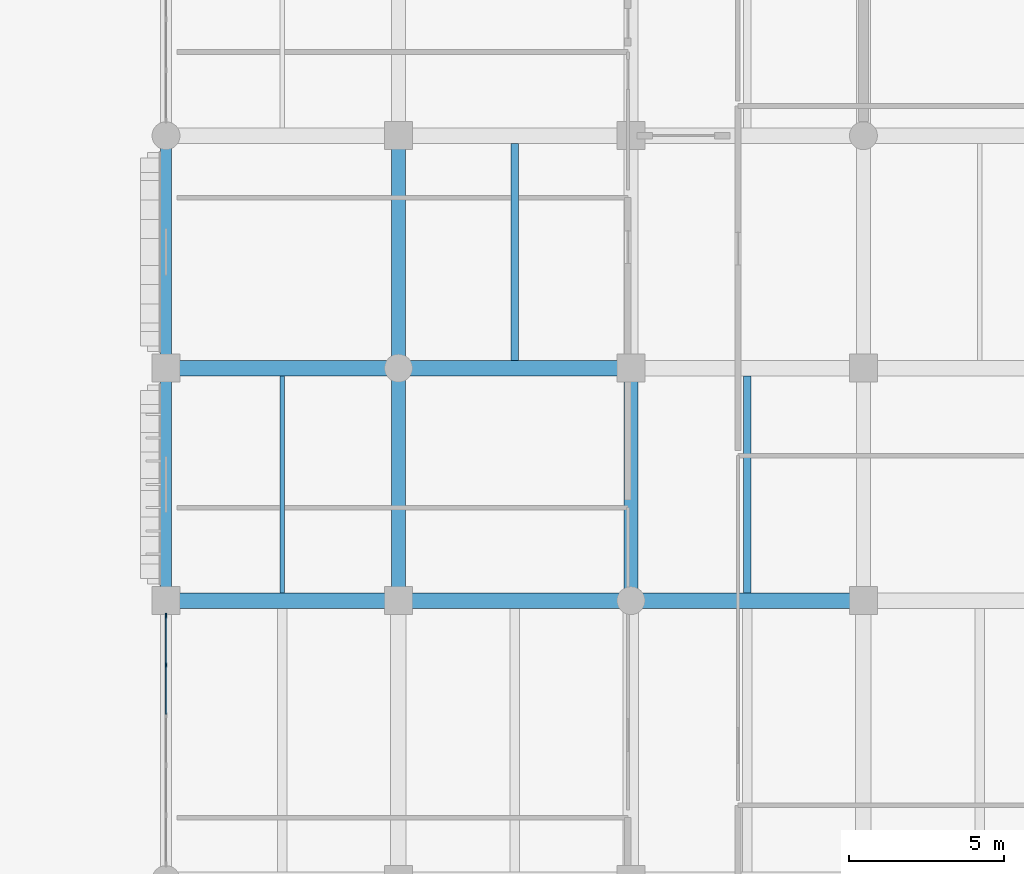
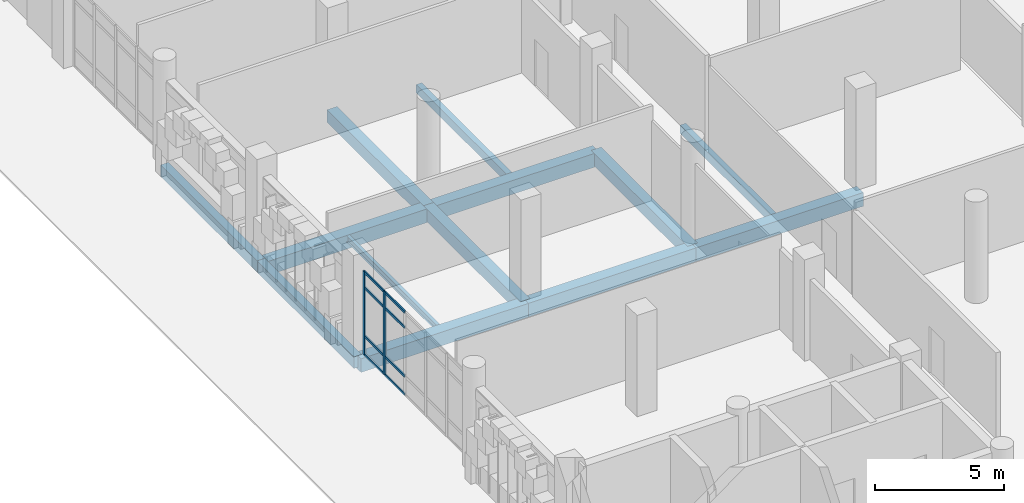
# One storey, part 21 of 125: 13 beams, 10 members, 1 element without a shape of its own.
"""IFC4 building model written with IfcOpenShell, lengths in metres."""

from ifc_helpers import new_model, si_unit, direction, frame, origin, origin_2d, place, context, subcontext, project, spatial, rectangle, i_section, extrude, material, layer, layer_set, material_profile, profile_set, type_object, element, aggregate, save


model = new_model("IFC4")

# Units and contexts
model_context = context("Model", 3, precision=1e-05, world=origin(), true_north=direction((0.0, 1.0)))
body_context = subcontext(model_context, "Body", "Model", "MODEL_VIEW")
ifc_project = project(units=[si_unit("LENGTHUNIT", "METRE"), si_unit("AREAUNIT", "SQUARE_METRE"), si_unit("VOLUMEUNIT", "CUBIC_METRE"), si_unit("PLANEANGLEUNIT", "RADIAN"), si_unit("MASSUNIT", "GRAM", prefix="KILO")], contexts=[model_context])

# Site, building, storey
site_placement = place(None, origin())
site = spatial("IfcSite", under=ifc_project, at=site_placement, CompositionType="ELEMENT")
building_placement = place(site_placement, origin())
building = spatial("IfcBuilding", under=site, at=building_placement, Name="Dalvernix Boulevard General Hospital", CompositionType="ELEMENT")
storey_placement = place(building_placement, origin())
storey = spatial("IfcBuildingStorey", under=building, at=storey_placement, Name="L00", CompositionType="ELEMENT", Elevation=0.0)

# Beams
ifc_material_1 = material(Name="Concrete C35/45", Category="concrete")
ifc_material_profile_1 = material_profile(ifc_material_1, rectangle(XDim=0.5, YDim=0.64990234375, at=origin_2d()), Name="RCB 500x650")
ifc_profile_set_1 = profile_set([ifc_material_profile_1], Name="Concrete C35/45")
beam_type_1 = type_object("IfcBeamType", Name="BM-B-02-I", PredefinedType="BEAM", material=ifc_profile_set_1)
for number, where, z_axis, x_axis, name in (
    (1, (0.0, 31.5, -0.68505859375), (1.0, 0.0, 0.0), (0.0, 1.0, 0.0), "L00 E-W girder E:1-2"),
    (2, (7.5, 31.5, -0.68505859375), (1.0, 0.0, 0.0), (0.0, 1.0, 0.0), "L00 E-W girder E:2-3"),
    (3, (15.0, 31.5, -0.68505859375), (1.0, 0.0, 0.0), (0.0, 1.0, 0.0), "L00 E-W girder E:3-4"),
    (4, (0.0, 39.0, -0.68505859375), (1.0, 0.0, 0.0), (0.0, 1.0, 0.0), "L00 E-W girder F:1-2"),
    (5, (7.5, 39.0, -0.68505859375), (1.0, 0.0, 0.0), (0.0, 1.0, 0.0), "L00 E-W girder F:2-3"),
):
    element("IfcBeam", number, at=place(storey_placement, frame(where, z_axis=z_axis, x_axis=x_axis)), inside=storey, type_object=beam_type_1, Name=name, PredefinedType="BEAM", context=body_context, shape_type="SweptSolid", body=[
        extrude(rectangle(XDim=0.5, YDim=0.64990234375, at=origin_2d()), origin(), (0.0, 0.0, 1.0), 7.5),
    ])
ifc_material_profile_2 = material_profile(ifc_material_1, rectangle(XDim=0.449951171875, YDim=0.60009765625, at=origin_2d()), Name="RCB 450x600")
ifc_profile_set_2 = profile_set([ifc_material_profile_2], Name="Concrete C35/45")
beam_type_2 = type_object("IfcBeamType", Name="BM-B-04-I", PredefinedType="BEAM", material=ifc_profile_set_2)
for number, where, z_axis, x_axis, name in (
    (6, (7.5, 31.5, -0.659912109375), (0.0, 1.0, 0.0), (-1.0, 0.0, 0.0), "L00 N-S girder 2:E-F"),
    (7, (7.5, 39.0, -0.659912109375), (0.0, 1.0, 0.0), (-1.0, 0.0, 0.0), "L00 N-S girder 2:F-G"),
    (8, (15.0, 31.5, -0.659912109375), (0.0, 1.0, 0.0), (-1.0, 0.0, 0.0), "L00 N-S girder 3:E-F"),
):
    element("IfcBeam", number, at=place(storey_placement, frame(where, z_axis=z_axis, x_axis=x_axis)), inside=storey, type_object=beam_type_2, Name=name, PredefinedType="BEAM", context=body_context, shape_type="SweptSolid", body=[
        extrude(rectangle(XDim=0.449951171875, YDim=0.60009765625, at=origin_2d()), origin(), (0.0, 0.0, 1.0), 7.5),
    ])
ifc_material_profile_3 = material_profile(ifc_material_1, rectangle(XDim=0.25, YDim=0.39990234375, at=origin_2d()), Name="RCB 250x400")
ifc_profile_set_3 = profile_set([ifc_material_profile_3], Name="Concrete C35/45")
beam_type_3 = type_object("IfcBeamType", Name="BM-JB-02", PredefinedType="JOIST", material=ifc_profile_set_3)
for number, where, z_axis, x_axis, name in (
    (9, (11.25, 39.25, -0.56005859375), (0.0, 1.0, 0.0), (-1.0, 0.0, 0.0), "L00 secondary floor beam 2-F"),
    (10, (18.75, 31.75, -0.56005859375), (0.0, 1.0, 0.0), (-1.0, 0.0, 0.0), "L00 secondary floor beam 3-E"),
):
    element("IfcBeam", number, at=place(storey_placement, frame(where, z_axis=z_axis, x_axis=x_axis)), inside=storey, type_object=beam_type_3, Name=name, PredefinedType="JOIST", context=body_context, shape_type="SweptSolid", body=[
        extrude(rectangle(XDim=0.25, YDim=0.39990234375, at=origin_2d()), origin(), (0.0, 0.0, 1.0), 7.0),
    ])
ifc_material_2 = material(Name="Steel S355", Category="steel")
ifc_material_profile_4 = material_profile(ifc_material_2, i_section(OverallWidth=0.14990234375, OverallDepth=0.300048828125, WebThickness=0.007080078125, FlangeThickness=0.0107421875, FilletRadius=0.014892578125, at=origin_2d()), Name="IPE 300")
ifc_profile_set_4 = profile_set([ifc_material_profile_4], Name="Steel S355")
beam_type_4 = type_object("IfcBeamType", Name="BM-JB-03", PredefinedType="JOIST", material=ifc_profile_set_4)
beam_placement = place(storey_placement, frame((3.75, 31.75, -0.510009765625), z_axis=(0.0, 1.0, 0.0), x_axis=(-1.0, 0.0, 0.0)))
element("IfcBeam", 11, at=beam_placement, inside=storey, type_object=beam_type_4, Name="L00 secondary floor beam 1-E", PredefinedType="JOIST", context=body_context, shape_type="SweptSolid", body=[
    extrude(i_section(OverallWidth=0.14990234375, OverallDepth=0.300048828125, WebThickness=0.007080078125, FlangeThickness=0.0107421875, FilletRadius=0.014892578125, at=origin_2d()), origin(), (0.0, 0.0, 1.0), 7.0),
])
ifc_material_profile_5 = material_profile(ifc_material_1, rectangle(XDim=0.35009765625, YDim=0.550048828125, at=origin_2d()), Name="RCB 350x550")
ifc_profile_set_5 = profile_set([ifc_material_profile_5], Name="Concrete C35/45")
beam_type_5 = type_object("IfcBeamType", Name="BM-SB-01-E", PredefinedType="SPANDREL", material=ifc_profile_set_5)
for number, where, z_axis, x_axis, name in (
    (12, (0.0, 31.5, -0.635009765625), (0.0, 1.0, 0.0), (-1.0, 0.0, 0.0), "L00 N-S girder 1:E-F"),
    (13, (0.0, 39.0, -0.635009765625), (0.0, 1.0, 0.0), (-1.0, 0.0, 0.0), "L00 N-S girder 1:F-G"),
):
    element("IfcBeam", number, at=place(storey_placement, frame(where, z_axis=z_axis, x_axis=x_axis)), inside=storey, type_object=beam_type_5, Name=name, PredefinedType="SPANDREL", context=body_context, shape_type="SweptSolid", body=[
        extrude(rectangle(XDim=0.35009765625, YDim=0.550048828125, at=origin_2d()), origin(), (0.0, 0.0, 1.0), 7.5),
    ])

# Curtain wall, members
ifc_material_3 = material(Name="Thermally broken aluminium and solar-control glass curtain wall", Category="aluminium")
ifc_layer = layer(ifc_material_3, 0.159912109375)
ifc_layer_set = layer_set([ifc_layer], Name="Thermally broken aluminium and solar-control glass curtain wall (CW-CW-A-81x40)")
curtain_wall_type = type_object("IfcCurtainWallType", Name="CW-CW-A-81x40", PredefinedType="USERDEFINED", material=ifc_layer_set)
curtain_wall_placement = place(storey_placement, origin())
curtain_wall = element("IfcCurtainWall", 14, at=curtain_wall_placement, inside=storey, type_object=curtain_wall_type, Name="L00 curtain wall CW-A-81x40 0-3", ObjectType="GLAZED FACADE", PredefinedType="USERDEFINED")
ifc_material_4 = material(Name="Aluminium EN AW-6060", Category="aluminium")
ifc_material_profile_6 = material_profile(ifc_material_4, rectangle(XDim=0.06005859375, YDim=0.159912109375, at=origin_2d()), Name="ALU MULL 60x160")
ifc_profile_set_6 = profile_set([ifc_material_profile_6], Name="Aluminium EN AW-6060")
member_type_1 = type_object("IfcMemberType", Name="MEM-CW-M1", PredefinedType="MULLION", material=ifc_profile_set_6)
member_1_placement = place(storey_placement, frame((0.0, 29.424072265625, 0.0), z_axis=(0.0, 0.0, 1.0), x_axis=(-1.0, 0.0, 0.0)))
member_1 = element("IfcMember", 15, at=member_1_placement, type_object=member_type_1, Name="CW-A-81x40 mullion 5", PredefinedType="MULLION", context=body_context, shape_type="SweptSolid", body=[
    extrude(rectangle(XDim=0.06005859375, YDim=0.159912109375, at=origin_2d()), origin(), (0.0, 0.0, 1.0), 3.949951171875),
])
member_2_placement = place(storey_placement, frame((0.0, 31.010009765625, 0.0), z_axis=(0.0, 0.0, 1.0), x_axis=(-1.0, 0.0, 0.0)))
member_2 = element("IfcMember", 16, at=member_2_placement, type_object=member_type_1, Name="CW-A-81x40 mullion 6", PredefinedType="MULLION", context=body_context, shape_type="SweptSolid", body=[
    extrude(rectangle(XDim=0.06005859375, YDim=0.159912109375, at=origin_2d()), origin(), (0.0, 0.0, 1.0), 3.949951171875),
])
ifc_material_profile_7 = material_profile(ifc_material_4, rectangle(XDim=0.06005859375, YDim=0.1201171875, at=origin_2d()), Name="ALU TRAN 60x120")
ifc_profile_set_7 = profile_set([ifc_material_profile_7], Name="Aluminium EN AW-6060")
member_type_2 = type_object("IfcMemberType", Name="MEM-CW-T1", PredefinedType="USERDEFINED", material=ifc_profile_set_7)
member_3_placement = place(storey_placement, frame((0.0, 27.837890625, 0.030029296875), z_axis=(0.0, 1.0, 0.0), x_axis=(-1.0, 0.0, 0.0)))
member_3 = element("IfcMember", 17, at=member_3_placement, type_object=member_type_2, Name="CW-A-81x40 transom 4.1", ObjectType="TRANSOM", PredefinedType="USERDEFINED", context=body_context, shape_type="SweptSolid", body=[
    extrude(rectangle(XDim=0.06005859375, YDim=0.1201171875, at=origin_2d()), origin(), (0.0, 0.0, 1.0), 1.55615234375),
])
member_4_placement = place(storey_placement, frame((0.0, 27.837890625, 0.89990234375), z_axis=(0.0, 1.0, 0.0), x_axis=(-1.0, 0.0, 0.0)))
member_4 = element("IfcMember", 18, at=member_4_placement, type_object=member_type_2, Name="CW-A-81x40 transom 4.2", ObjectType="TRANSOM", PredefinedType="USERDEFINED", context=body_context, shape_type="SweptSolid", body=[
    extrude(rectangle(XDim=0.06005859375, YDim=0.1201171875, at=origin_2d()), origin(), (0.0, 0.0, 1.0), 1.55615234375),
])
member_5_placement = place(storey_placement, frame((0.0, 27.837890625, 3.199951171875), z_axis=(0.0, 1.0, 0.0), x_axis=(-1.0, 0.0, 0.0)))
member_5 = element("IfcMember", 19, at=member_5_placement, type_object=member_type_2, Name="CW-A-81x40 transom 4.3", ObjectType="TRANSOM", PredefinedType="USERDEFINED", context=body_context, shape_type="SweptSolid", body=[
    extrude(rectangle(XDim=0.06005859375, YDim=0.1201171875, at=origin_2d()), origin(), (0.0, 0.0, 1.0), 1.55615234375),
])
member_6_placement = place(storey_placement, frame((0.0, 27.837890625, 3.919921875), z_axis=(0.0, 1.0, 0.0), x_axis=(-1.0, 0.0, 0.0)))
member_6 = element("IfcMember", 20, at=member_6_placement, type_object=member_type_2, Name="CW-A-81x40 transom 4.4", ObjectType="TRANSOM", PredefinedType="USERDEFINED", context=body_context, shape_type="SweptSolid", body=[
    extrude(rectangle(XDim=0.06005859375, YDim=0.1201171875, at=origin_2d()), origin(), (0.0, 0.0, 1.0), 1.55615234375),
])
member_7_placement = place(storey_placement, frame((0.0, 29.4541015625, 0.030029296875), z_axis=(0.0, 1.0, 0.0), x_axis=(-1.0, 0.0, 0.0)))
member_7 = element("IfcMember", 21, at=member_7_placement, type_object=member_type_2, Name="CW-A-81x40 transom 5.1", ObjectType="TRANSOM", PredefinedType="USERDEFINED", context=body_context, shape_type="SweptSolid", body=[
    extrude(rectangle(XDim=0.06005859375, YDim=0.1201171875, at=origin_2d()), origin(), (0.0, 0.0, 1.0), 1.52587890625),
])
member_8_placement = place(storey_placement, frame((0.0, 29.4541015625, 0.89990234375), z_axis=(0.0, 1.0, 0.0), x_axis=(-1.0, 0.0, 0.0)))
member_8 = element("IfcMember", 22, at=member_8_placement, type_object=member_type_2, Name="CW-A-81x40 transom 5.2", ObjectType="TRANSOM", PredefinedType="USERDEFINED", context=body_context, shape_type="SweptSolid", body=[
    extrude(rectangle(XDim=0.06005859375, YDim=0.1201171875, at=origin_2d()), origin(), (0.0, 0.0, 1.0), 1.52587890625),
])
member_9_placement = place(storey_placement, frame((0.0, 29.4541015625, 3.199951171875), z_axis=(0.0, 1.0, 0.0), x_axis=(-1.0, 0.0, 0.0)))
member_9 = element("IfcMember", 23, at=member_9_placement, type_object=member_type_2, Name="CW-A-81x40 transom 5.3", ObjectType="TRANSOM", PredefinedType="USERDEFINED", context=body_context, shape_type="SweptSolid", body=[
    extrude(rectangle(XDim=0.06005859375, YDim=0.1201171875, at=origin_2d()), origin(), (0.0, 0.0, 1.0), 1.52587890625),
])
member_10_placement = place(storey_placement, frame((0.0, 29.4541015625, 3.919921875), z_axis=(0.0, 1.0, 0.0), x_axis=(-1.0, 0.0, 0.0)))
member_10 = element("IfcMember", 24, at=member_10_placement, type_object=member_type_2, Name="CW-A-81x40 transom 5.4", ObjectType="TRANSOM", PredefinedType="USERDEFINED", context=body_context, shape_type="SweptSolid", body=[
    extrude(rectangle(XDim=0.06005859375, YDim=0.1201171875, at=origin_2d()), origin(), (0.0, 0.0, 1.0), 1.52587890625),
])
aggregate(curtain_wall, [member_1, member_2, member_3, member_4, member_5, member_6, member_7, member_8, member_9, member_10])

save(model, "model.ifc")
